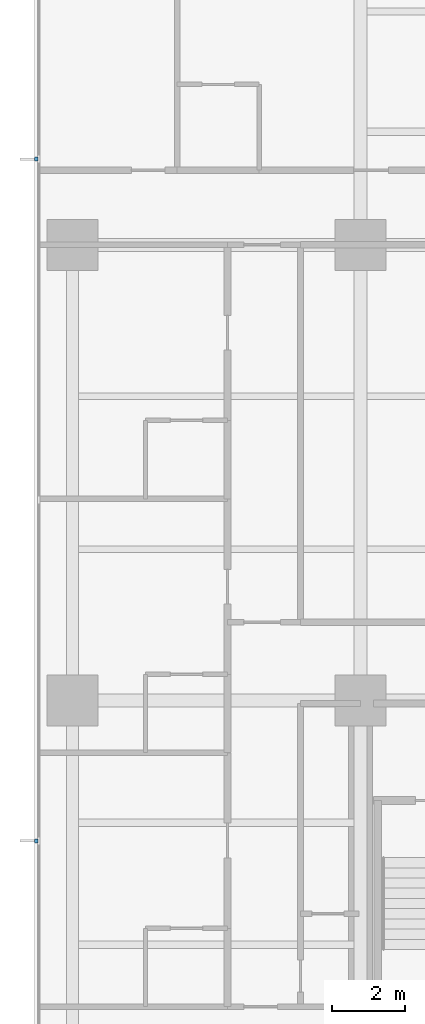
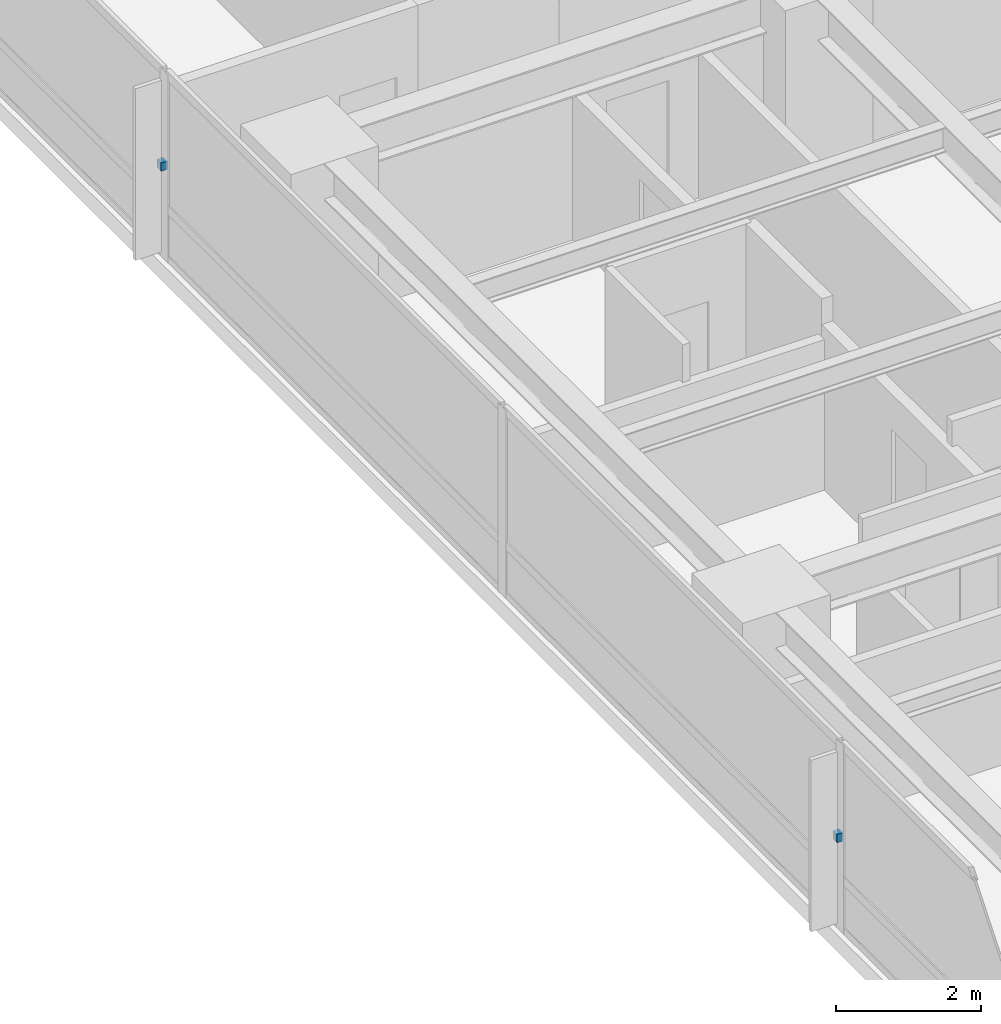
# One storey, part 12 of 16: 2 discrete accessories.
"""IFC4 building model written with IfcOpenShell, lengths in metres."""

from ifc_helpers import new_model, si_unit, direction, frame, origin, place, context, subcontext, project, spatial, polyline, outline, extrude, material, type_object, element, save


model = new_model("IFC4")

# Units and contexts
model_context = context("Model", 3, precision=1e-05, world=origin(), true_north=direction((0.0, 1.0)))
body_context = subcontext(model_context, "Body", "Model", "MODEL_VIEW")
ifc_project = project(units=[si_unit("LENGTHUNIT", "METRE"), si_unit("AREAUNIT", "SQUARE_METRE"), si_unit("VOLUMEUNIT", "CUBIC_METRE"), si_unit("PLANEANGLEUNIT", "RADIAN"), si_unit("MASSUNIT", "GRAM", prefix="KILO")], contexts=[model_context])

# Site, building, storey
site_placement = place(None, origin())
site = spatial("IfcSite", under=ifc_project, at=site_placement, CompositionType="ELEMENT")
building_placement = place(site_placement, origin())
building = spatial("IfcBuilding", under=site, at=building_placement, Name="Qalmaran Belvedere Hotel", CompositionType="ELEMENT")
storey_placement = place(building_placement, frame((0.0, 0.0, 71.89990234375)))
storey = spatial("IfcBuildingStorey", under=building, at=storey_placement, Name="L18", CompositionType="ELEMENT", Elevation=71.89990234375)

# Discrete accessories
ifc_material = material(Name="Stainless Steel 1.4401", Category="steel")
discrete_accessory_type = type_object("IfcDiscreteAccessoryType", Name="BRK-FIN-SS316", PredefinedType="BRACKET", material=ifc_material)
discrete_accessory_1_placement = place(storey_placement, frame((0.0, 0.0, 1.5400390625)))
element("IfcDiscreteAccessory", 1, at=discrete_accessory_1_placement, inside=storey, type_object=discrete_accessory_type, Name="L18 Fin Bracket 1", PredefinedType="BRACKET", context=body_context, shape_type="SweptSolid", body=[
    extrude(outline(polyline([(11.455078125, 35.405029296875), (11.357421875, 35.405029296875), (11.357421875, 35.294921875), (11.455078125, 35.294921875), (11.455078125, 35.405029296875)])), origin(), (0.0, 0.0, 1.0), 0.14013671875),
])
discrete_accessory_2_placement = place(storey_placement, frame((0.0, 0.0, 1.5400390625)))
element("IfcDiscreteAccessory", 2, at=discrete_accessory_2_placement, inside=storey, type_object=discrete_accessory_type, Name="L18 Fin Bracket 3", PredefinedType="BRACKET", context=body_context, shape_type="SweptSolid", body=[
    extrude(outline(polyline([(11.455078125, 16.705078125), (11.357421875, 16.705078125), (11.357421875, 16.594970703125), (11.455078125, 16.594970703125), (11.455078125, 16.705078125)])), origin(), (0.0, 0.0, 1.0), 0.14013671875),
])

save(model, "model.ifc")
